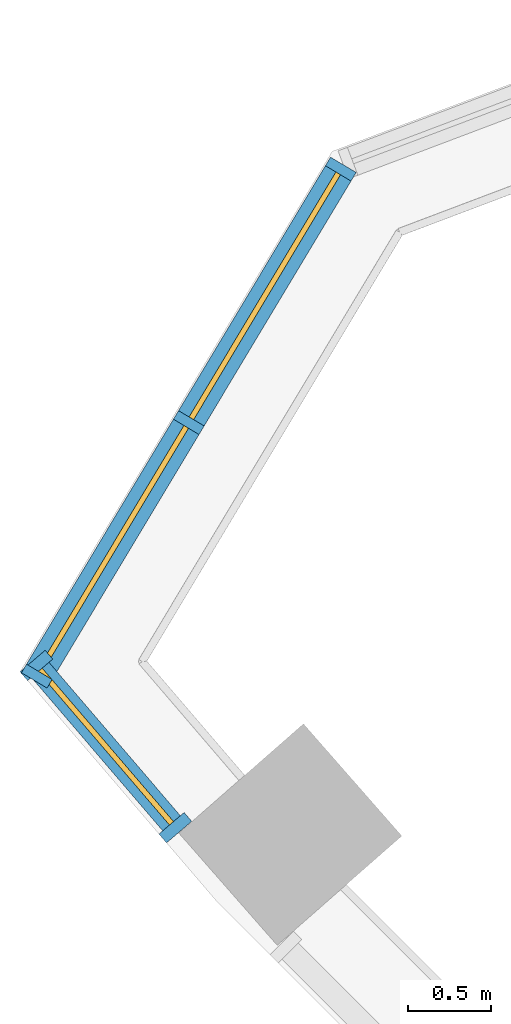
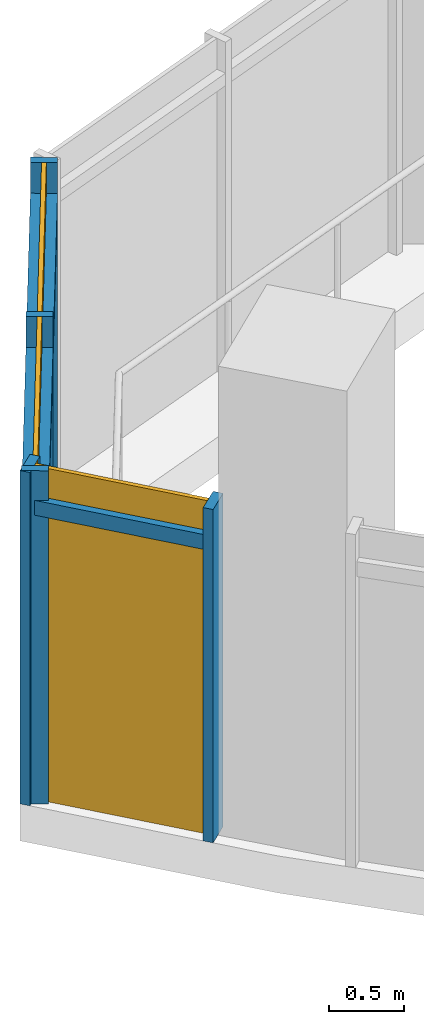
# One storey, part 18 of 29: 8 members, 2 curtain walls.
"""IFC4 building model written with IfcOpenShell, lengths in metres."""

from ifc_helpers import new_model, si_unit, direction, frame, origin, origin_2d, place, context, subcontext, project, spatial, rectangle, extrude, material, material_profile, profile_set, type_object, element, aggregate, save


model = new_model("IFC4")

# Units and contexts
model_context = context("Model", 3, precision=1e-05, world=origin(), true_north=direction((0.0, 1.0)))
body_context = subcontext(model_context, "Body", "Model", "MODEL_VIEW")
ifc_project = project(units=[si_unit("LENGTHUNIT", "METRE"), si_unit("AREAUNIT", "SQUARE_METRE"), si_unit("VOLUMEUNIT", "CUBIC_METRE"), si_unit("PLANEANGLEUNIT", "RADIAN"), si_unit("MASSUNIT", "GRAM", prefix="KILO")], contexts=[model_context])

# Member
ifc_material = material(Name="Aluminium 6063-T6 anodised", Category="aluminium")
ifc_material_profile_1 = material_profile(ifc_material, rectangle(XDim=0.179931640625, YDim=0.06005859375, at=origin_2d()))
ifc_profile_set_1 = profile_set([ifc_material_profile_1], Name="Aluminium 6063-T6 anodised")
member_type_1 = type_object("IfcMemberType", Name="Mullion 60 x 180 aluminium, garden", PredefinedType="MULLION", material=ifc_profile_set_1)
site_placement = place(None, origin())
building_placement = place(site_placement, origin())
storey_placement = place(building_placement, frame((0.0, 0.0, 261.89990234375)))
member_1_placement = place(storey_placement, frame((-58.151123046875, -47.248779296875, 0.0), z_axis=(0.0, 0.0, 1.0), x_axis=(0.85763841743, -0.514253191481, 0.0)))
member_1 = element("IfcMember", 1, at=member_1_placement, type_object=member_type_1, Name="e-cw4-L63-capW5/M00", PredefinedType="MULLION", context=body_context, shape_type="SweptSolid", body=[
    extrude(rectangle(XDim=0.179931640625, YDim=0.06005859375, at=origin_2d()), origin(), (0.0, 0.0, 1.0), 2.7001953125),
])

member_2_placement = place(storey_placement, frame((-59.068359375, -48.7783203125, 0.0), z_axis=(0.0, 0.0, 1.0), x_axis=(0.85763841743, -0.514253191481, 0.0)))
member_2 = element("IfcMember", 2, at=member_2_placement, type_object=member_type_1, Name="e-cw4-L63-capW5/M01", PredefinedType="MULLION", context=body_context, shape_type="SweptSolid", body=[
    extrude(rectangle(XDim=0.179931640625, YDim=0.06005859375, at=origin_2d()), origin(), (0.0, 0.0, 1.0), 2.7001953125),
])

member_3_placement = place(storey_placement, frame((-59.985595703125, -50.30810546875, 0.0), z_axis=(0.0, 0.0, 1.0), x_axis=(0.85763841743, -0.514253191481, 0.0)))
member_3 = element("IfcMember", 3, at=member_3_placement, type_object=member_type_1, Name="e-cw4-L63-capW5/M02", PredefinedType="MULLION", context=body_context, shape_type="SweptSolid", body=[
    extrude(rectangle(XDim=0.179931640625, YDim=0.06005859375, at=origin_2d()), origin(), (0.0, 0.0, 1.0), 2.7001953125),
])

ifc_material_profile_2 = material_profile(ifc_material, rectangle(XDim=0.199951171875, YDim=0.070068359375, at=origin_2d()))
ifc_profile_set_2 = profile_set([ifc_material_profile_2], Name="Aluminium 6063-T6 anodised")
member_type_2 = type_object("IfcMemberType", Name="Mullion 70 x 200 aluminium", PredefinedType="MULLION", material=ifc_profile_set_2)
member_4_placement = place(storey_placement, frame((-59.988037109375, -50.243896484375, 0.0), z_axis=(0.0, 0.0, 1.0), x_axis=(0.759421145239, 0.650599357642, 0.0)))
member_4 = element("IfcMember", 4, at=member_4_placement, type_object=member_type_2, Name="e-cw1-L63-out00/M00", PredefinedType="MULLION", context=body_context, shape_type="SweptSolid", body=[
    extrude(rectangle(XDim=0.199951171875, YDim=0.070068359375, at=origin_2d()), origin(), (0.0, 0.0, 1.0), 2.7001953125),
])

member_5_placement = place(storey_placement, frame((-59.1494140625, -51.22265625, 0.0), z_axis=(0.0, 0.0, 1.0), x_axis=(0.759421145239, 0.650599357642, 0.0)))
member_5 = element("IfcMember", 5, at=member_5_placement, type_object=member_type_2, Name="e-cw1-L63-out00/M01", PredefinedType="MULLION", context=body_context, shape_type="SweptSolid", body=[
    extrude(rectangle(XDim=0.199951171875, YDim=0.070068359375, at=origin_2d()), origin(), (0.0, 0.0, 1.0), 2.7001953125),
])

ifc_material_profile_3 = material_profile(ifc_material, rectangle(XDim=0.179931640625, YDim=0.10009765625, at=origin_2d()))
ifc_profile_set_3 = profile_set([ifc_material_profile_3], Name="Aluminium 6063-T6 anodised")
member_type_3 = type_object("IfcMemberType", Name="Transom 100 x 180 aluminium, garden", PredefinedType="USERDEFINED", material=ifc_profile_set_3)
member_6_placement = place(storey_placement, frame((-58.16650390625, -47.274658203125, 2.400146484375), z_axis=(-0.514349926488, -0.857580406213, 0.0), x_axis=(0.857580406213, -0.514349926488, 0.0)))
member_6 = element("IfcMember", 6, at=member_6_placement, type_object=member_type_3, Name="e-cw4-L63-capW5/T00", ObjectType="TRANSOM", PredefinedType="USERDEFINED", context=body_context, shape_type="SweptSolid", body=[
    extrude(rectangle(XDim=0.179931640625, YDim=0.10009765625, at=origin_2d()), origin(), (0.0, 0.0, 1.0), 1.723388671875),
])

member_7_placement = place(storey_placement, frame((-59.083740234375, -48.80419921875, 2.400146484375), z_axis=(-0.514245735635, -0.857642888026, 0.0), x_axis=(0.857642888026, -0.514245735635, 0.0)))
member_7 = element("IfcMember", 7, at=member_7_placement, type_object=member_type_3, Name="e-cw4-L63-capW5/T01", ObjectType="TRANSOM", PredefinedType="USERDEFINED", context=body_context, shape_type="SweptSolid", body=[
    extrude(rectangle(XDim=0.179931640625, YDim=0.10009765625, at=origin_2d()), origin(), (0.0, 0.0, 1.0), 1.723388671875),
])

ifc_material_profile_4 = material_profile(ifc_material, rectangle(XDim=0.139892578125, YDim=0.1201171875, at=origin_2d()))
ifc_profile_set_4 = profile_set([ifc_material_profile_4], Name="Aluminium 6063-T6 anodised")
member_type_4 = type_object("IfcMemberType", Name="Transom 120 x 140 aluminium", PredefinedType="USERDEFINED", material=ifc_profile_set_4)
member_8_placement = place(storey_placement, frame((-59.965087890625, -50.2705078125, 2.400146484375), z_axis=(0.650510850088, -0.759496961098, 0.0), x_axis=(0.759496961098, 0.650510850088, 0.0)))
member_8 = element("IfcMember", 8, at=member_8_placement, type_object=member_type_4, Name="e-cw1-L63-out00/T00", ObjectType="TRANSOM", PredefinedType="USERDEFINED", context=body_context, shape_type="SweptSolid", body=[
    extrude(rectangle(XDim=0.139892578125, YDim=0.1201171875, at=origin_2d()), origin(), (0.0, 0.0, 1.0), 1.218505859375),
])

# Site, building, storey
site = spatial("IfcSite", under=ifc_project, at=site_placement, CompositionType="ELEMENT")
building = spatial("IfcBuilding", under=site, at=building_placement, Name="Qamariyya Broadcast Tower", CompositionType="ELEMENT")
storey = spatial("IfcBuildingStorey", under=building, at=storey_placement, Name="L63", CompositionType="ELEMENT", Elevation=261.89990234375)

# Curtain wall
curtain_wall_type_1 = type_object("IfcCurtainWallType", Name="Sky garden enclosure curtain wall", PredefinedType="NOTDEFINED", material=ifc_material)
curtain_wall_1_placement = place(storey_placement, origin())
curtain_wall_1 = element("IfcCurtainWall", 9, at=curtain_wall_1_placement, inside=storey, type_object=curtain_wall_type_1, Name="e-cw4-L63-capW5", PredefinedType="NOTDEFINED", context=body_context, shape_type="SweptSolid", body=[
    extrude(rectangle(XDim=1.723388671875, YDim=0.031982421875, at=origin_2d()), frame((-58.60986328125, -48.013671875, 0.0), x_axis=(-0.514268062411, -0.857629500416, 0.0)), (0.0, 0.0, 1.0), 2.35009765625),
    extrude(rectangle(XDim=1.723388671875, YDim=0.031982421875, at=origin_2d()), frame((-58.60986328125, -48.013671875, 2.4501953125), x_axis=(-0.514268062411, -0.857629500416, 0.0)), (0.0, 0.0, 1.0), 0.25),
    extrude(rectangle(XDim=1.723388671875, YDim=0.031982421875, at=origin_2d()), frame((-59.52685546875, -49.543212890625, 0.0), x_axis=(-0.514268062411, -0.857629500416, 0.0)), (0.0, 0.0, 1.0), 2.35009765625),
    extrude(rectangle(XDim=1.723388671875, YDim=0.031982421875, at=origin_2d()), frame((-59.52685546875, -49.543212890625, 2.4501953125), x_axis=(-0.514268062411, -0.857629500416, 0.0)), (0.0, 0.0, 1.0), 0.25),
])

aggregate(curtain_wall_1, [member_1, member_2, member_3, member_6, member_7])

curtain_wall_type_2 = type_object("IfcCurtainWallType", Name="Unitised curtain wall, anodised aluminium", PredefinedType="NOTDEFINED", material=ifc_material)
curtain_wall_2_placement = place(storey_placement, origin())
curtain_wall_2 = element("IfcCurtainWall", 10, at=curtain_wall_2_placement, inside=storey, type_object=curtain_wall_type_2, Name="e-cw1-L63-out00", PredefinedType="NOTDEFINED", context=body_context, shape_type="SweptSolid", body=[
    extrude(rectangle(XDim=1.21875, YDim=0.031982421875, at=origin_2d()), frame((-59.56884765625, -50.7333984375, 0.0), x_axis=(0.650569405702, -0.759446804171, 0.0)), (0.0, 0.0, 1.0), 2.340087890625),
    extrude(rectangle(XDim=1.21875, YDim=0.031982421875, at=origin_2d()), frame((-59.56884765625, -50.7333984375, 2.460205078125), x_axis=(0.650569405702, -0.759446804171, 0.0)), (0.0, 0.0, 1.0), 0.239990234375),
])

aggregate(curtain_wall_2, [member_4, member_5, member_8])

save(model, "model.ifc")
